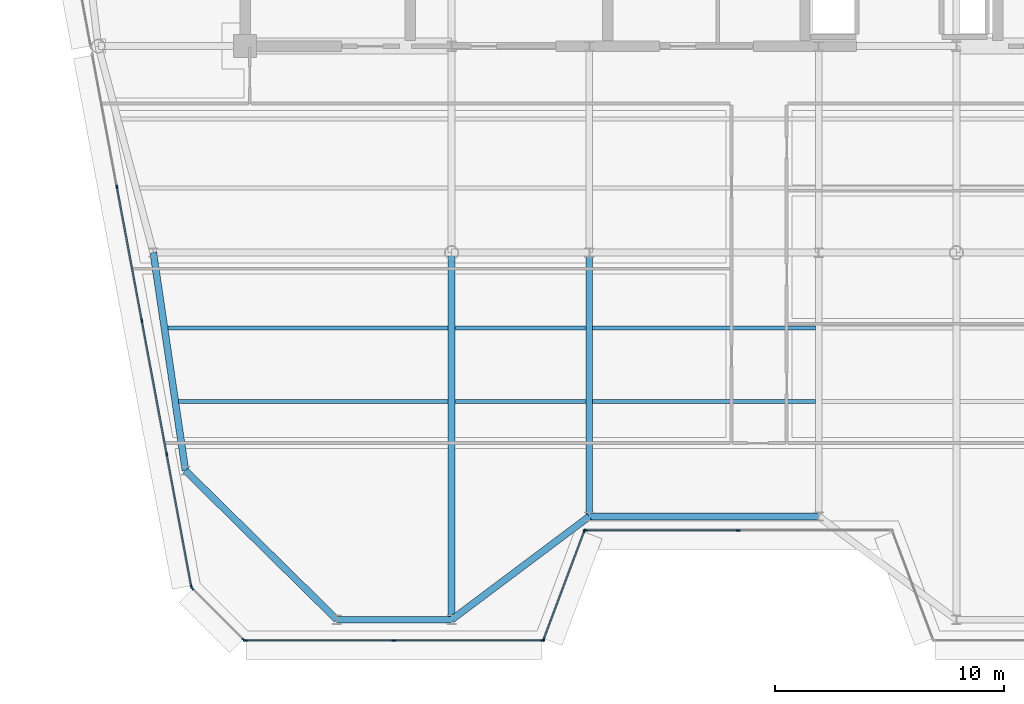
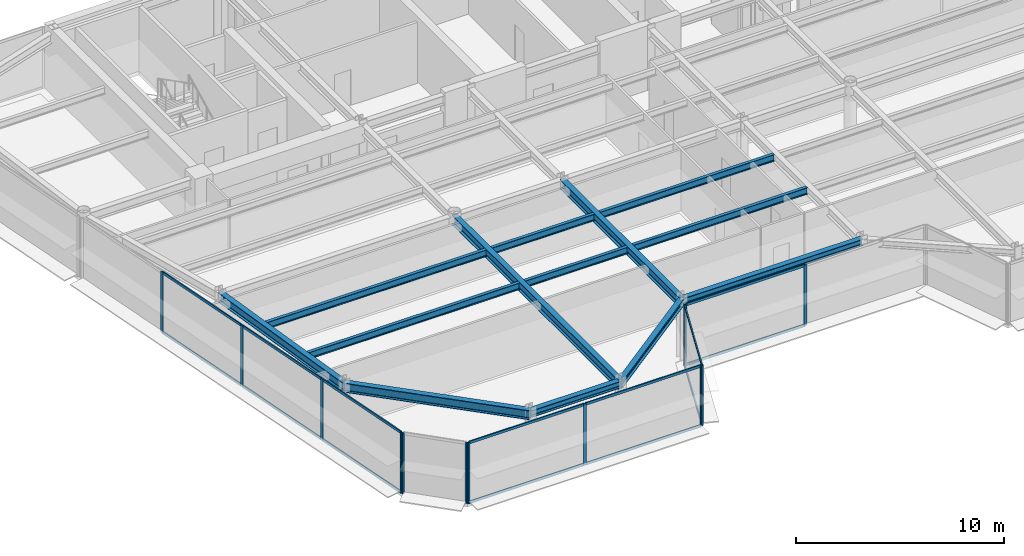
# One storey, part 3 of 18: 27 members, 13 beams, 5 elements without a shape of their own.
"""IFC4 building model written with IfcOpenShell, lengths in metres."""

from ifc_helpers import new_model, si_unit, direction, frame, origin, origin_2d, place, context, subcontext, project, spatial, rectangle, i_section, extrude, source, transform, mapped, material, layer, layer_set, material_profile, profile_set, type_object, element, aggregate, save


model = new_model("IFC4")

# Units and contexts
model_context = context("Model", 3, precision=1e-05, world=origin(), true_north=direction((0.0, 1.0)))
body_context = subcontext(model_context, "Body", "Model", "MODEL_VIEW")
ifc_project = project(units=[si_unit("LENGTHUNIT", "METRE"), si_unit("AREAUNIT", "SQUARE_METRE"), si_unit("VOLUMEUNIT", "CUBIC_METRE"), si_unit("PLANEANGLEUNIT", "RADIAN"), si_unit("MASSUNIT", "GRAM", prefix="KILO")], contexts=[model_context])

# Site, building, storey
site_placement = place(None, origin())
site = spatial("IfcSite", under=ifc_project, at=site_placement, CompositionType="ELEMENT")
building_placement = place(site_placement, origin())
building = spatial("IfcBuilding", under=site, at=building_placement, Name="Vaeldorn Concourse Tower", CompositionType="ELEMENT")
storey_placement = place(building_placement, frame((0.0, 0.0, 246.0)))
storey = spatial("IfcBuildingStorey", under=building, at=storey_placement, Name="L63", CompositionType="ELEMENT", Elevation=246.0)

# Beams
ifc_material_1 = material(Name="Steel S355", Category="steel")
ifc_material_profile_1 = material_profile(ifc_material_1, i_section(OverallWidth=0.300048828125, OverallDepth=0.39990234375, WebThickness=0.013427734375, FlangeThickness=0.02392578125, FilletRadius=0.027099609375, at=origin_2d()), Name="HEB 400")
ifc_profile_set_1 = profile_set([ifc_material_profile_1], Name="Steel S355")
beam_type_1 = type_object("IfcBeamType", Name="BM-SP-HEB400", PredefinedType="SPANDREL", material=ifc_profile_set_1)
shared_shape_1 = source(origin(), body_context, "Body", "SweptSolid", [
    extrude(i_section(OverallWidth=0.300048828125, OverallDepth=0.39990234375, WebThickness=0.013427734375, FlangeThickness=0.02392578125, FilletRadius=0.027099609375, at=origin_2d()), origin(), (0.0, 0.0, 1.0), 5.0),
])
beam_1_placement = place(storey_placement, frame((18.0, 11.5, 3.3798828125), z_axis=(1.0, 0.0, 0.0), x_axis=(0.0, 1.0, 0.0)))
element("IfcBeam", 1, at=beam_1_placement, inside=storey, type_object=beam_type_1, Name="Beam BM-L63-C-SF1-C-SF2", PredefinedType="SPANDREL", context=body_context, shape_type="MappedRepresentation", body=[
    mapped(shared_shape_1, transform((0.0, 0.0, 0.0), scale=1.0)),
])
shared_shape_2 = source(origin(), body_context, "Body", "SweptSolid", [
    extrude(i_section(OverallWidth=0.300048828125, OverallDepth=0.39990234375, WebThickness=0.013427734375, FlangeThickness=0.02392578125, FilletRadius=0.027099609375, at=origin_2d()), origin(), (0.0, 0.0, 1.0), 7.5),
])
beam_2_placement = place(storey_placement, frame((23.0, 11.5, 3.3798828125), z_axis=(0.8, 0.6, 0.0), x_axis=(-0.6, 0.8, 0.0)))
element("IfcBeam", 2, at=beam_2_placement, inside=storey, type_object=beam_type_1, Name="Beam BM-L63-C-SF2-C-SF3", PredefinedType="SPANDREL", context=body_context, shape_type="MappedRepresentation", body=[
    mapped(shared_shape_2, transform((0.0, 0.0, 0.0), scale=1.0)),
])
shared_shape_3 = source(origin(), body_context, "Body", "SweptSolid", [
    extrude(i_section(OverallWidth=0.300048828125, OverallDepth=0.39990234375, WebThickness=0.013427734375, FlangeThickness=0.02392578125, FilletRadius=0.027099609375, at=origin_2d()), origin(), (0.0, 0.0, 1.0), 10.0),
])
beam_3_placement = place(storey_placement, frame((29.0, 16.0, 3.3798828125), z_axis=(1.0, 0.0, 0.0), x_axis=(0.0, 1.0, 0.0)))
element("IfcBeam", 3, at=beam_3_placement, inside=storey, type_object=beam_type_1, Name="Beam BM-L63-C-SF3-C-SF4", PredefinedType="SPANDREL", context=body_context, shape_type="MappedRepresentation", body=[
    mapped(shared_shape_3, transform((0.0, 0.0, 0.0), scale=1.0)),
])
ifc_material_profile_2 = material_profile(ifc_material_1, i_section(OverallWidth=0.179931640625, OverallDepth=0.39990234375, WebThickness=0.008544921875, FlangeThickness=0.013427734375, FilletRadius=0.02099609375, at=origin_2d()), Name="IPE 400")
ifc_profile_set_2 = profile_set([ifc_material_profile_2], Name="Steel S355")
beam_type_2 = type_object("IfcBeamType", Name="BM-JS-IPE400", PredefinedType="JOIST", material=ifc_profile_set_2)
shared_shape_4 = source(origin(), body_context, "Body", "SweptSolid", [
    extrude(i_section(OverallWidth=0.179931640625, OverallDepth=0.39990234375, WebThickness=0.008544921875, FlangeThickness=0.013427734375, FilletRadius=0.02099609375, at=origin_2d()), origin(), (0.0, 0.0, 1.0), 5.7001953125),
])
for number, where, z_axis, x_axis, name in (
    (4, (23.14990234375, 21.02001953125, 3.3798828125), (1.0, 0.0, 0.0), (0.0, 1.0, 0.0), "Beam JS-L63-W2-210"),
    (5, (23.14990234375, 24.219970703125, 3.3798828125), (1.0, 0.0, 0.0), (0.0, 1.0, 0.0), "Beam JS-L63-W2-242"),
):
    element("IfcBeam", number, at=place(storey_placement, frame(where, z_axis=z_axis, x_axis=x_axis)), inside=storey, type_object=beam_type_2, Name=name, PredefinedType="JOIST", context=body_context, shape_type="MappedRepresentation", body=[
        mapped(shared_shape_4, transform((0.0, 0.0, 0.0), scale=1.0)),
    ])
shared_shape_5 = source(origin(), body_context, "Body", "SweptSolid", [
    extrude(i_section(OverallWidth=0.179931640625, OverallDepth=0.39990234375, WebThickness=0.008544921875, FlangeThickness=0.013427734375, FilletRadius=0.02099609375, at=origin_2d()), origin(), (0.0, 0.0, 1.0), 9.7001953125),
])
for number, where, z_axis, x_axis, name in (
    (6, (29.14990234375, 21.02001953125, 3.3798828125), (1.0, 0.0, 0.0), (0.0, 1.0, 0.0), "Beam JS-L63-C-210"),
    (7, (29.14990234375, 24.219970703125, 3.3798828125), (1.0, 0.0, 0.0), (0.0, 1.0, 0.0), "Beam JS-L63-C-242"),
):
    element("IfcBeam", number, at=place(storey_placement, frame(where, z_axis=z_axis, x_axis=x_axis)), inside=storey, type_object=beam_type_2, Name=name, PredefinedType="JOIST", context=body_context, shape_type="MappedRepresentation", body=[
        mapped(shared_shape_5, transform((0.0, 0.0, 0.0), scale=1.0)),
    ])
shared_shape_6 = source(origin(), body_context, "Body", "SweptSolid", [
    extrude(i_section(OverallWidth=0.179931640625, OverallDepth=0.39990234375, WebThickness=0.008544921875, FlangeThickness=0.013427734375, FilletRadius=0.02099609375, at=origin_2d()), origin(), (0.0, 0.0, 1.0), 11.7451171875),
])
beam_4_placement = place(storey_placement, frame((11.10498046875, 21.02001953125, 3.3798828125), z_axis=(1.0, 0.0, 0.0), x_axis=(0.0, 1.0, 0.0)))
element("IfcBeam", 8, at=beam_4_placement, inside=storey, type_object=beam_type_2, Name="Beam JS-L63-W1-210", PredefinedType="JOIST", context=body_context, shape_type="MappedRepresentation", body=[
    mapped(shared_shape_6, transform((0.0, 0.0, 0.0), scale=1.0)),
])
shared_shape_7 = source(origin(), body_context, "Body", "SweptSolid", [
    extrude(i_section(OverallWidth=0.179931640625, OverallDepth=0.39990234375, WebThickness=0.008544921875, FlangeThickness=0.013427734375, FilletRadius=0.02099609375, at=origin_2d()), origin(), (0.0, 0.0, 1.0), 12.216796875),
])
beam_5_placement = place(storey_placement, frame((10.63330078125, 24.219970703125, 3.3798828125), z_axis=(1.0, 0.0, 0.0), x_axis=(0.0, 1.0, 0.0)))
element("IfcBeam", 9, at=beam_5_placement, inside=storey, type_object=beam_type_2, Name="Beam JS-L63-W1-242", PredefinedType="JOIST", context=body_context, shape_type="MappedRepresentation", body=[
    mapped(shared_shape_7, transform((0.0, 0.0, 0.0), scale=1.0)),
])
ifc_material_profile_3 = material_profile(ifc_material_1, i_section(OverallWidth=0.300048828125, OverallDepth=0.550048828125, WebThickness=0.014892578125, FlangeThickness=0.029052734375, FilletRadius=0.027099609375, at=origin_2d()), Name="HEB 550")
ifc_profile_set_3 = profile_set([ifc_material_profile_3], Name="Steel S355")
beam_type_3 = type_object("IfcBeamType", Name="BM-PG-HEB550", PredefinedType="BEAM", material=ifc_profile_set_3)
shared_shape_8 = source(origin(), body_context, "Body", "SweptSolid", [
    extrude(i_section(OverallWidth=0.300048828125, OverallDepth=0.550048828125, WebThickness=0.014892578125, FlangeThickness=0.029052734375, FilletRadius=0.027099609375, at=origin_2d()), origin(), (0.0, 0.0, 1.0), 9.6025390625),
])
beam_6_placement = place(storey_placement, frame((10.0, 27.5, 3.304931640625), z_axis=(0.145783835977, -0.989316467652, 0.0), x_axis=(0.989316467652, 0.145783835977, 0.0)))
element("IfcBeam", 10, at=beam_6_placement, inside=storey, type_object=beam_type_3, Name="Beam BM-L63-C-FLW1-C-FLW2", PredefinedType="BEAM", context=body_context, shape_type="MappedRepresentation", body=[
    mapped(shared_shape_8, transform((0.0, 0.0, 0.0), scale=1.0)),
])
shared_shape_9 = source(origin(), body_context, "Body", "SweptSolid", [
    extrude(i_section(OverallWidth=0.300048828125, OverallDepth=0.550048828125, WebThickness=0.014892578125, FlangeThickness=0.029052734375, FilletRadius=0.027099609375, at=origin_2d()), origin(), (0.0, 0.0, 1.0), 9.263427734375),
])
beam_7_placement = place(storey_placement, frame((18.0, 11.5, 3.304931640625), z_axis=(-0.71248897494, 0.701683305053, 0.0), x_axis=(-0.701683305053, -0.71248897494, 0.0)))
element("IfcBeam", 11, at=beam_7_placement, inside=storey, type_object=beam_type_3, Name="Beam BM-L63-C-SF1-C-FLW2", PredefinedType="BEAM", context=body_context, shape_type="MappedRepresentation", body=[
    mapped(shared_shape_9, transform((0.0, 0.0, 0.0), scale=1.0)),
])
shared_shape_10 = source(origin(), body_context, "Body", "SweptSolid", [
    extrude(i_section(OverallWidth=0.300048828125, OverallDepth=0.550048828125, WebThickness=0.014892578125, FlangeThickness=0.029052734375, FilletRadius=0.027099609375, at=origin_2d()), origin(), (0.0, 0.0, 1.0), 16.0),
])
beam_8_placement = place(storey_placement, frame((23.0, 11.5, 3.304931640625), z_axis=(0.0, 1.0, 0.0), x_axis=(-1.0, 0.0, 0.0)))
element("IfcBeam", 12, at=beam_8_placement, inside=storey, type_object=beam_type_3, Name="Beam BM-L63-C-SF2-C-TW1", PredefinedType="BEAM", context=body_context, shape_type="MappedRepresentation", body=[
    mapped(shared_shape_10, transform((0.0, 0.0, 0.0), scale=1.0)),
])
shared_shape_11 = source(origin(), body_context, "Body", "SweptSolid", [
    extrude(i_section(OverallWidth=0.300048828125, OverallDepth=0.550048828125, WebThickness=0.014892578125, FlangeThickness=0.029052734375, FilletRadius=0.027099609375, at=origin_2d()), origin(), (0.0, 0.0, 1.0), 11.5),
])
beam_9_placement = place(storey_placement, frame((29.0, 16.0, 3.304931640625), z_axis=(0.0, 1.0, 0.0), x_axis=(-1.0, 0.0, 0.0)))
element("IfcBeam", 13, at=beam_9_placement, inside=storey, type_object=beam_type_3, Name="Beam BM-L63-C-SF3-C-TW2", PredefinedType="BEAM", context=body_context, shape_type="MappedRepresentation", body=[
    mapped(shared_shape_11, transform((0.0, 0.0, 0.0), scale=1.0)),
])

# Curtain wall, members
ifc_material_2 = material(Name="Anodised Bronze Aluminium", Category="aluminium")
ifc_layer = layer(ifc_material_2, 0.179931640625)
ifc_layer_set = layer_set([ifc_layer], Name="Anodised Bronze Aluminium")
curtain_wall_type = type_object("IfcCurtainWallType", Name="CW-SYS-05", PredefinedType="NOTDEFINED", material=ifc_layer_set)
curtain_wall_1_placement = place(storey_placement, origin())
curtain_wall_1 = element("IfcCurtainWall", 14, at=curtain_wall_1_placement, inside=storey, type_object=curtain_wall_type, Name="Unitised Curtain Wall CW-L63-E02-1", PredefinedType="NOTDEFINED")
ifc_material_profile_4 = material_profile(ifc_material_2, rectangle(XDim=0.06494140625, YDim=0.14990234375, at=origin_2d()), Name="CWT 65x150")
ifc_profile_set_4 = profile_set([ifc_material_profile_4], Name="Anodised Bronze Aluminium")
member_type_1 = type_object("IfcMemberType", Name="CWT-BRONZE-150", PredefinedType="USERDEFINED", material=ifc_profile_set_4)
shared_shape_12 = source(origin(), body_context, "Body", "SweptSolid", [
    extrude(rectangle(XDim=0.06494140625, YDim=0.14990234375, at=origin_2d()), origin(), (0.0, 0.0, 1.0), 4.996337890625),
])
member_1_placement = place(storey_placement, frame((27.022705078125, 10.660888671875, 0.032470703125), z_axis=(0.351134151405, 0.936325161318, 0.0), x_axis=(-0.936325161318, 0.351134151405, 0.0)))
member_1 = element("IfcMember", 15, at=member_1_placement, type_object=member_type_1, Name="CW-05 transom 1.1", ObjectType="TRANSOM", PredefinedType="USERDEFINED", context=body_context, shape_type="MappedRepresentation", body=[
    mapped(shared_shape_12, transform((0.0, 0.0, 0.0), scale=1.0)),
])
member_2_placement = place(storey_placement, frame((27.022705078125, 10.660888671875, 3.547607421875), z_axis=(0.351134151405, 0.936325161318, 0.0), x_axis=(-0.936325161318, 0.351134151405, 0.0)))
member_2 = element("IfcMember", 16, at=member_2_placement, type_object=member_type_1, Name="CW-05 transom 1.2", ObjectType="TRANSOM", PredefinedType="USERDEFINED", context=body_context, shape_type="MappedRepresentation", body=[
    mapped(shared_shape_12, transform((0.0, 0.0, 0.0), scale=1.0)),
])

curtain_wall_2_placement = place(storey_placement, origin())
curtain_wall_2 = element("IfcCurtainWall", 17, at=curtain_wall_2_placement, inside=storey, type_object=curtain_wall_type, Name="Unitised Curtain Wall CW-L63-E03-1", PredefinedType="NOTDEFINED")
shared_shape_13 = source(origin(), body_context, "Body", "SweptSolid", [
    extrude(rectangle(XDim=0.06494140625, YDim=0.14990234375, at=origin_2d()), origin(), (0.0, 0.0, 1.0), 6.6025390625),
])
member_3_placement = place(storey_placement, frame((28.864990234375, 15.39990234375, 0.032470703125), z_axis=(1.0, 0.0, 0.0), x_axis=(0.0, 1.0, 0.0)))
member_3 = element("IfcMember", 18, at=member_3_placement, type_object=member_type_1, Name="CW-05 transom 1.1", ObjectType="TRANSOM", PredefinedType="USERDEFINED", context=body_context, shape_type="MappedRepresentation", body=[
    mapped(shared_shape_13, transform((0.0, 0.0, 0.0), scale=1.0)),
])
member_4_placement = place(storey_placement, frame((28.864990234375, 15.39990234375, 3.547607421875), z_axis=(1.0, 0.0, 0.0), x_axis=(0.0, 1.0, 0.0)))
member_4 = element("IfcMember", 19, at=member_4_placement, type_object=member_type_1, Name="CW-05 transom 1.2", ObjectType="TRANSOM", PredefinedType="USERDEFINED", context=body_context, shape_type="MappedRepresentation", body=[
    mapped(shared_shape_13, transform((0.0, 0.0, 0.0), scale=1.0)),
])

curtain_wall_3_placement = place(storey_placement, origin())
curtain_wall_3 = element("IfcCurtainWall", 20, at=curtain_wall_3_placement, inside=storey, type_object=curtain_wall_type, Name="Unitised Curtain Wall CW-L63-E01-1", PredefinedType="NOTDEFINED")
ifc_material_profile_5 = material_profile(ifc_material_2, rectangle(XDim=0.06494140625, YDim=0.169921875, at=origin_2d()), Name="CWM 65x170")
ifc_profile_set_5 = profile_set([ifc_material_profile_5], Name="Anodised Bronze Aluminium")
member_type_2 = type_object("IfcMemberType", Name="CWM-BRONZE-170", PredefinedType="MULLION", material=ifc_profile_set_5)
shared_shape_14 = source(origin(), body_context, "Body", "SweptSolid", [
    extrude(rectangle(XDim=0.06494140625, YDim=0.169921875, at=origin_2d()), origin(), (0.0, 0.0, 1.0), 3.580078125),
])
member_5_placement = place(storey_placement, frame((13.99853515625, 10.60009765625, 0.0), z_axis=(0.0, 0.0, 1.0), x_axis=(0.0, 1.0, 0.0)))
member_5 = element("IfcMember", 21, at=member_5_placement, type_object=member_type_2, Name="CW-05 mullion 1", PredefinedType="MULLION", context=body_context, shape_type="MappedRepresentation", body=[
    mapped(shared_shape_14, transform((0.0, 0.0, 0.0), scale=1.0)),
])
member_6_placement = place(storey_placement, frame((20.48291015625, 10.60009765625, 0.0), z_axis=(0.0, 0.0, 1.0), x_axis=(0.0, 1.0, 0.0)))
member_6 = element("IfcMember", 22, at=member_6_placement, type_object=member_type_2, Name="CW-05 mullion 2", PredefinedType="MULLION", context=body_context, shape_type="MappedRepresentation", body=[
    mapped(shared_shape_14, transform((0.0, 0.0, 0.0), scale=1.0)),
])
member_7_placement = place(storey_placement, frame((26.967529296875, 10.60009765625, 0.0), z_axis=(0.0, 0.0, 1.0), x_axis=(0.0, 1.0, 0.0)))
member_7 = element("IfcMember", 23, at=member_7_placement, type_object=member_type_2, Name="CW-05 mullion 3", PredefinedType="MULLION", context=body_context, shape_type="MappedRepresentation", body=[
    mapped(shared_shape_14, transform((0.0, 0.0, 0.0), scale=1.0)),
])

# Member
member_8_placement = place(storey_placement, frame((27.011474609375, 10.63037109375, 0.0), z_axis=(0.0, 0.0, 1.0), x_axis=(-0.936329177566, 0.351123441595, 0.0)))
member_8 = element("IfcMember", 24, at=member_8_placement, type_object=member_type_2, Name="CW-05 mullion 1", PredefinedType="MULLION", context=body_context, shape_type="MappedRepresentation", body=[
    mapped(shared_shape_14, transform((0.0, 0.0, 0.0), scale=1.0)),
])

member_9_placement = place(storey_placement, frame((28.78857421875, 15.36962890625, 0.0), z_axis=(0.0, 0.0, 1.0), x_axis=(-0.936329177566, 0.351123441595, 0.0)))
member_9 = element("IfcMember", 25, at=member_9_placement, type_object=member_type_2, Name="CW-05 mullion 2", PredefinedType="MULLION", context=body_context, shape_type="MappedRepresentation", body=[
    mapped(shared_shape_14, transform((0.0, 0.0, 0.0), scale=1.0)),
])

aggregate(curtain_wall_1, [member_8, member_9, member_1, member_2])

member_10_placement = place(storey_placement, frame((28.83251953125, 15.39990234375, 0.0), z_axis=(0.0, 0.0, 1.0), x_axis=(0.0, 1.0, 0.0)))
member_10 = element("IfcMember", 26, at=member_10_placement, type_object=member_type_2, Name="CW-05 mullion 1", PredefinedType="MULLION", context=body_context, shape_type="MappedRepresentation", body=[
    mapped(shared_shape_14, transform((0.0, 0.0, 0.0), scale=1.0)),
])

member_11_placement = place(storey_placement, frame((35.5, 15.39990234375, 0.0), z_axis=(0.0, 0.0, 1.0), x_axis=(0.0, 1.0, 0.0)))
member_11 = element("IfcMember", 27, at=member_11_placement, type_object=member_type_2, Name="CW-05 mullion 2", PredefinedType="MULLION", context=body_context, shape_type="MappedRepresentation", body=[
    mapped(shared_shape_14, transform((0.0, 0.0, 0.0), scale=1.0)),
])

aggregate(curtain_wall_2, [member_10, member_11, member_3, member_4])

# Curtain wall, members
curtain_wall_4_placement = place(storey_placement, origin())
curtain_wall_4 = element("IfcCurtainWall", 28, at=curtain_wall_4_placement, inside=storey, type_object=curtain_wall_type, Name="Unitised Curtain Wall CW-L63-E11-2", PredefinedType="NOTDEFINED")
member_12_placement = place(storey_placement, frame((8.414306640625, 30.36376953125, 0.0), z_axis=(0.0, 0.0, 1.0), x_axis=(0.983102653673, 0.18305510739, 0.0)))
member_12 = element("IfcMember", 29, at=member_12_placement, type_object=member_type_2, Name="CW-05 mullion 2", PredefinedType="MULLION", context=body_context, shape_type="MappedRepresentation", body=[
    mapped(shared_shape_14, transform((0.0, 0.0, 0.0), scale=1.0)),
])
member_13_placement = place(storey_placement, frame((9.498046875, 24.54248046875, 0.0), z_axis=(0.0, 0.0, 1.0), x_axis=(0.983102653673, 0.18305510739, 0.0)))
member_13 = element("IfcMember", 30, at=member_13_placement, type_object=member_type_2, Name="CW-05 mullion 3", PredefinedType="MULLION", context=body_context, shape_type="MappedRepresentation", body=[
    mapped(shared_shape_14, transform((0.0, 0.0, 0.0), scale=1.0)),
])
member_14_placement = place(storey_placement, frame((10.58203125, 18.72119140625, 0.0), z_axis=(0.0, 0.0, 1.0), x_axis=(0.983102653673, 0.18305510739, 0.0)))
member_14 = element("IfcMember", 31, at=member_14_placement, type_object=member_type_2, Name="CW-05 mullion 4", PredefinedType="MULLION", context=body_context, shape_type="MappedRepresentation", body=[
    mapped(shared_shape_14, transform((0.0, 0.0, 0.0), scale=1.0)),
])
member_15_placement = place(storey_placement, frame((11.66015625, 12.931884765625, 0.0), z_axis=(0.0, 0.0, 1.0), x_axis=(0.983102653673, 0.18305510739, 0.0)))
member_15 = element("IfcMember", 32, at=member_15_placement, type_object=member_type_2, Name="CW-05 mullion 5", PredefinedType="MULLION", context=body_context, shape_type="MappedRepresentation", body=[
    mapped(shared_shape_14, transform((0.0, 0.0, 0.0), scale=1.0)),
])

curtain_wall_5_placement = place(storey_placement, origin())
curtain_wall_5 = element("IfcCurtainWall", 33, at=curtain_wall_5_placement, inside=storey, type_object=curtain_wall_type, Name="Unitised Curtain Wall CW-L63-E12-1", PredefinedType="NOTDEFINED")
member_16_placement = place(storey_placement, frame((11.68896484375, 12.876953125, 0.0), z_axis=(0.0, 0.0, 1.0), x_axis=(0.707106781187, 0.707106781187, 0.0)))
member_16 = element("IfcMember", 34, at=member_16_placement, type_object=member_type_2, Name="CW-05 mullion 1", PredefinedType="MULLION", context=body_context, shape_type="MappedRepresentation", body=[
    mapped(shared_shape_14, transform((0.0, 0.0, 0.0), scale=1.0)),
])
member_17_placement = place(storey_placement, frame((13.943115234375, 10.623046875, 0.0), z_axis=(0.0, 0.0, 1.0), x_axis=(0.707106781187, 0.707106781187, 0.0)))
member_17 = element("IfcMember", 35, at=member_17_placement, type_object=member_type_2, Name="CW-05 mullion 2", PredefinedType="MULLION", context=body_context, shape_type="MappedRepresentation", body=[
    mapped(shared_shape_14, transform((0.0, 0.0, 0.0), scale=1.0)),
])
aggregate(curtain_wall_5, [member_16, member_17])

# Member
shared_shape_15 = source(origin(), body_context, "Body", "SweptSolid", [
    extrude(rectangle(XDim=0.06494140625, YDim=0.14990234375, at=origin_2d()), origin(), (0.0, 0.0, 1.0), 5.82373046875),
])
member_18_placement = place(storey_placement, frame((10.588134765625, 18.689208984375, 0.032470703125), z_axis=(0.183030414843, -0.983107251139, 0.0), x_axis=(0.983107251139, 0.183030414843, 0.0)))
member_18 = element("IfcMember", 36, at=member_18_placement, type_object=member_type_1, Name="CW-05 transom 4.1", ObjectType="TRANSOM", PredefinedType="USERDEFINED", context=body_context, shape_type="MappedRepresentation", body=[
    mapped(shared_shape_15, transform((0.0, 0.0, 0.0), scale=1.0)),
])

member_19_placement = place(storey_placement, frame((10.588134765625, 18.689208984375, 3.547607421875), z_axis=(0.183030414843, -0.983107251139, 0.0), x_axis=(0.983107251139, 0.183030414843, 0.0)))
member_19 = element("IfcMember", 37, at=member_19_placement, type_object=member_type_1, Name="CW-05 transom 4.2", ObjectType="TRANSOM", PredefinedType="USERDEFINED", context=body_context, shape_type="MappedRepresentation", body=[
    mapped(shared_shape_15, transform((0.0, 0.0, 0.0), scale=1.0)),
])

shared_shape_16 = source(origin(), body_context, "Body", "SweptSolid", [
    extrude(rectangle(XDim=0.06494140625, YDim=0.14990234375, at=origin_2d()), origin(), (0.0, 0.0, 1.0), 5.856201171875),
])
member_20_placement = place(storey_placement, frame((8.420166015625, 30.331787109375, 0.032470703125), z_axis=(0.18305503402, -0.983102667334, 0.0), x_axis=(0.983102667334, 0.18305503402, 0.0)))
member_20 = element("IfcMember", 38, at=member_20_placement, type_object=member_type_1, Name="CW-05 transom 2.1", ObjectType="TRANSOM", PredefinedType="USERDEFINED", context=body_context, shape_type="MappedRepresentation", body=[
    mapped(shared_shape_16, transform((0.0, 0.0, 0.0), scale=1.0)),
])

member_21_placement = place(storey_placement, frame((8.420166015625, 30.331787109375, 3.547607421875), z_axis=(0.18305503402, -0.983102667334, 0.0), x_axis=(0.983102667334, 0.18305503402, 0.0)))
member_21 = element("IfcMember", 39, at=member_21_placement, type_object=member_type_1, Name="CW-05 transom 2.2", ObjectType="TRANSOM", PredefinedType="USERDEFINED", context=body_context, shape_type="MappedRepresentation", body=[
    mapped(shared_shape_16, transform((0.0, 0.0, 0.0), scale=1.0)),
])

member_22_placement = place(storey_placement, frame((9.504150390625, 24.510498046875, 0.032470703125), z_axis=(0.18305503402, -0.983102667334, 0.0), x_axis=(0.983102667334, 0.18305503402, 0.0)))
member_22 = element("IfcMember", 40, at=member_22_placement, type_object=member_type_1, Name="CW-05 transom 3.1", ObjectType="TRANSOM", PredefinedType="USERDEFINED", context=body_context, shape_type="MappedRepresentation", body=[
    mapped(shared_shape_16, transform((0.0, 0.0, 0.0), scale=1.0)),
])

member_23_placement = place(storey_placement, frame((9.504150390625, 24.510498046875, 3.547607421875), z_axis=(0.18305503402, -0.983102667334, 0.0), x_axis=(0.983102667334, 0.18305503402, 0.0)))
member_23 = element("IfcMember", 41, at=member_23_placement, type_object=member_type_1, Name="CW-05 transom 3.2", ObjectType="TRANSOM", PredefinedType="USERDEFINED", context=body_context, shape_type="MappedRepresentation", body=[
    mapped(shared_shape_16, transform((0.0, 0.0, 0.0), scale=1.0)),
])

aggregate(curtain_wall_4, [member_12, member_13, member_14, member_15, member_20, member_21, member_22, member_23, member_18, member_19])

shared_shape_17 = source(origin(), body_context, "Body", "SweptSolid", [
    extrude(rectangle(XDim=0.06494140625, YDim=0.14990234375, at=origin_2d()), origin(), (0.0, 0.0, 1.0), 6.41943359375),
])
member_24_placement = place(storey_placement, frame((14.031005859375, 10.60009765625, 0.032470703125), z_axis=(1.0, 0.0, 0.0), x_axis=(0.0, 1.0, 0.0)))
member_24 = element("IfcMember", 42, at=member_24_placement, type_object=member_type_1, Name="CW-05 transom 1.1", ObjectType="TRANSOM", PredefinedType="USERDEFINED", context=body_context, shape_type="MappedRepresentation", body=[
    mapped(shared_shape_17, transform((0.0, 0.0, 0.0), scale=1.0)),
])

member_25_placement = place(storey_placement, frame((14.031005859375, 10.60009765625, 3.547607421875), z_axis=(1.0, 0.0, 0.0), x_axis=(0.0, 1.0, 0.0)))
member_25 = element("IfcMember", 43, at=member_25_placement, type_object=member_type_1, Name="CW-05 transom 1.2", ObjectType="TRANSOM", PredefinedType="USERDEFINED", context=body_context, shape_type="MappedRepresentation", body=[
    mapped(shared_shape_17, transform((0.0, 0.0, 0.0), scale=1.0)),
])

shared_shape_18 = source(origin(), body_context, "Body", "SweptSolid", [
    extrude(rectangle(XDim=0.06494140625, YDim=0.14990234375, at=origin_2d()), origin(), (0.0, 0.0, 1.0), 6.419677734375),
])
member_26_placement = place(storey_placement, frame((20.515380859375, 10.60009765625, 0.032470703125), z_axis=(1.0, 0.0, 0.0), x_axis=(0.0, 1.0, 0.0)))
member_26 = element("IfcMember", 44, at=member_26_placement, type_object=member_type_1, Name="CW-05 transom 2.1", ObjectType="TRANSOM", PredefinedType="USERDEFINED", context=body_context, shape_type="MappedRepresentation", body=[
    mapped(shared_shape_18, transform((0.0, 0.0, 0.0), scale=1.0)),
])

member_27_placement = place(storey_placement, frame((20.515380859375, 10.60009765625, 3.547607421875), z_axis=(1.0, 0.0, 0.0), x_axis=(0.0, 1.0, 0.0)))
member_27 = element("IfcMember", 45, at=member_27_placement, type_object=member_type_1, Name="CW-05 transom 2.2", ObjectType="TRANSOM", PredefinedType="USERDEFINED", context=body_context, shape_type="MappedRepresentation", body=[
    mapped(shared_shape_18, transform((0.0, 0.0, 0.0), scale=1.0)),
])

aggregate(curtain_wall_3, [member_5, member_6, member_7, member_24, member_25, member_26, member_27])

save(model, "model.ifc")
